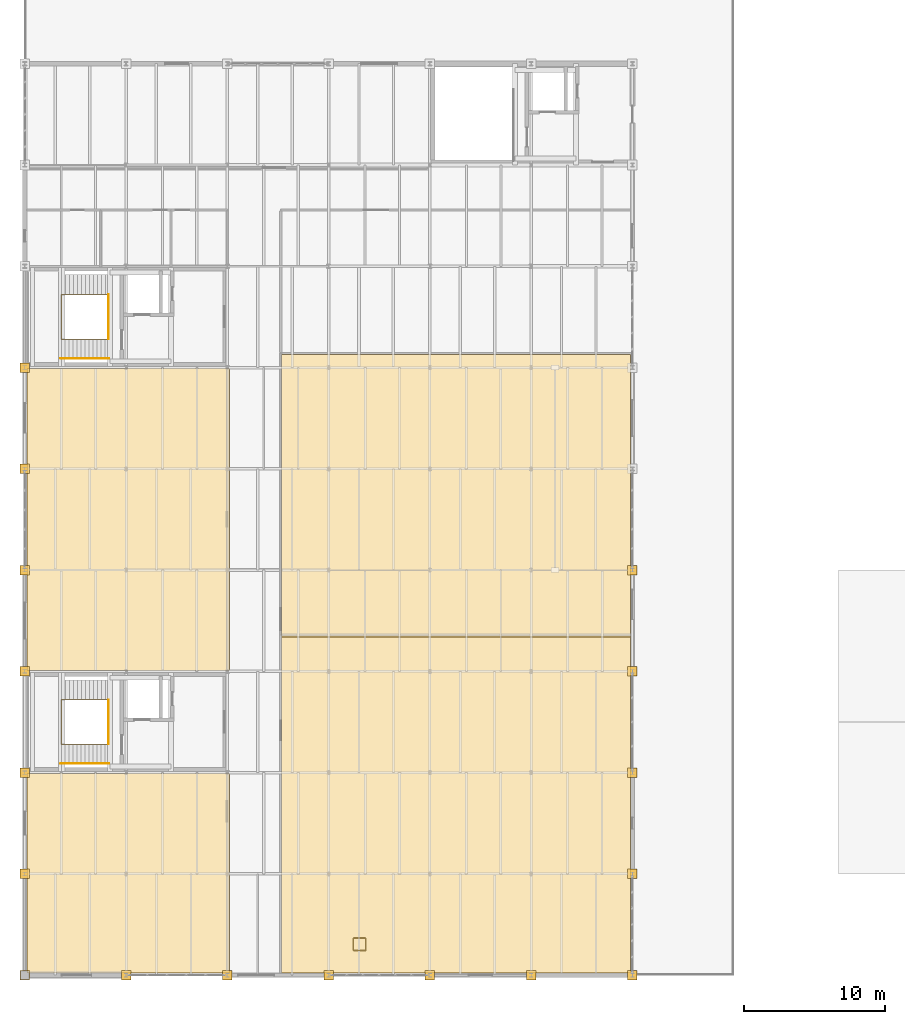
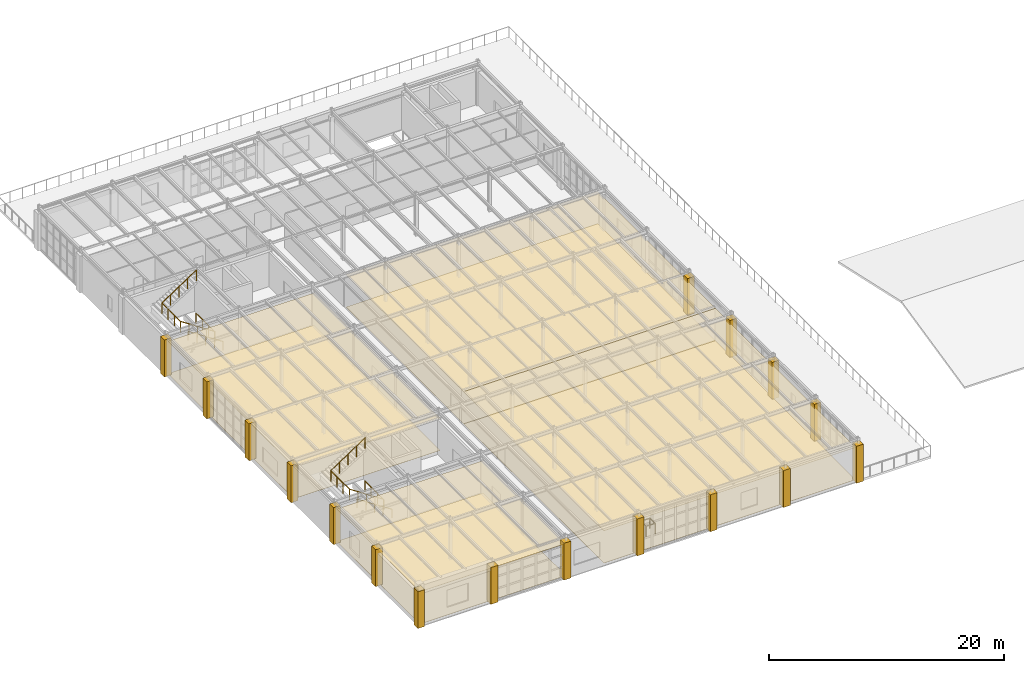
# One storey, part 35 of 36: 25 coverings, 7 railings.
"""IFC4 building model written with IfcOpenShell, lengths in metres."""

from ifc_helpers import new_model, si_unit, direction, frame, origin, origin_2d, place, context, subcontext, project, spatial, polyline, circle, outline, extrude, material, layer, layer_set, type_object, element, save


model = new_model("IFC4")

# Units and contexts
model_context = context("Model", 3, precision=1e-05, world=origin(), true_north=direction((0.0, 1.0)))
body_context = subcontext(model_context, "Body", "Model", "MODEL_VIEW")
ifc_project = project(units=[si_unit("LENGTHUNIT", "METRE"), si_unit("AREAUNIT", "SQUARE_METRE"), si_unit("VOLUMEUNIT", "CUBIC_METRE"), si_unit("PLANEANGLEUNIT", "RADIAN"), si_unit("MASSUNIT", "GRAM", prefix="KILO")], contexts=[model_context])

# Site, building, storey
site_placement = place(None, origin())
site = spatial("IfcSite", under=ifc_project, at=site_placement, CompositionType="ELEMENT")
building_placement = place(site_placement, origin())
building = spatial("IfcBuilding", under=site, at=building_placement, Name="Kemerveld Promenade Tramway Depot", CompositionType="ELEMENT")
storey_placement = place(building_placement, frame((0.0, 0.0, 14.39990234375)))
storey = spatial("IfcBuildingStorey", under=building, at=storey_placement, Name="L03", CompositionType="ELEMENT", Elevation=14.39990234375)

# Coverings
ifc_material_1 = material(Name="Perforated mineral-fibre acoustic ceiling")
ifc_layer_1 = layer(ifc_material_1, 0.02490234375)
ifc_layer_set_1 = layer_set([ifc_layer_1], Name="COV-CEIL-AC")
covering_type_1 = type_object("IfcCoveringType", Name="COV-CEIL-AC", PredefinedType="CEILING", material=ifc_layer_set_1)
covering_1_placement = place(storey_placement, frame((0.0, 0.0, 3.35498046875)))
element("IfcCovering", 1, at=covering_1_placement, inside=storey, type_object=covering_type_1, Name="CEIL-RM-L03-V5-RSE", PredefinedType="CEILING", context=body_context, shape_type="SweptSolid", body=[
    extrude(outline(polyline([(18.264892578125, 0.14990234375), (43.050048828125, 0.14990234375), (43.050048828125, 24.35009765625), (18.264892578125, 24.35009765625), (18.264892578125, 0.14990234375)])), origin(), (0.0, 0.0, 1.0), 0.025146484375),
])
covering_2_placement = place(storey_placement, frame((0.0, 0.0, 3.35498046875)))
element("IfcCovering", 2, at=covering_2_placement, inside=storey, type_object=covering_type_1, Name="CEIL-RM-L03-V5-TRK", PredefinedType="CEILING", context=body_context, shape_type="SweptSolid", body=[
    extrude(outline(polyline([(0.14990234375, 0.14990234375), (14.550048828125, 0.14990234375), (14.550048828125, 14.35009765625), (0.14990234375, 14.35009765625), (0.14990234375, 0.14990234375)])), origin(), (0.0, 0.0, 1.0), 0.025146484375),
])
covering_3_placement = place(storey_placement, frame((0.0, 0.0, 3.35498046875)))
element("IfcCovering", 3, at=covering_3_placement, inside=storey, type_object=covering_type_1, Name="CEIL-RM-L03-V5-SEM1", PredefinedType="CEILING", context=body_context, shape_type="SweptSolid", body=[
    extrude(outline(polyline([(0.14990234375, 21.64990234375), (14.550048828125, 21.64990234375), (14.550048828125, 43.14990234375), (0.14990234375, 43.14990234375), (0.14990234375, 21.64990234375)])), origin(), (0.0, 0.0, 1.0), 0.025146484375),
])
covering_4_placement = place(storey_placement, frame((0.0, 0.0, 3.35498046875)))
element("IfcCovering", 4, at=covering_4_placement, inside=storey, type_object=covering_type_1, Name="CEIL-RM-L03-V5-WPE", PredefinedType="CEILING", context=body_context, shape_type="SweptSolid", body=[
    extrude(outline(polyline([(18.264892578125, 24.050048828125), (43.050048828125, 24.050048828125), (43.050048828125, 44.1201171875), (18.264892578125, 44.1201171875), (18.264892578125, 24.050048828125)])), origin(), (0.0, 0.0, 1.0), 0.025146484375),
])
ifc_material_2 = material(Name="Dressed Harare granite ashlar cladding", Category="masonry")
ifc_layer_2 = layer(ifc_material_2, 0.050048828125)
ifc_layer_set_2 = layer_set([ifc_layer_2], Name="COV-CLAD-GRAN")
covering_type_2 = type_object("IfcCoveringType", Name="COV-CLAD-GRAN", PredefinedType="CLADDING", material=ifc_layer_set_2)
covering_5_placement = place(storey_placement, origin())
element("IfcCovering", 5, at=covering_5_placement, inside=storey, type_object=covering_type_2, Name="CLAD-PIER-L03-353", PredefinedType="CLADDING", context=body_context, shape_type="SweptSolid", body=[
    extrude(outline(polyline([(-0.340087890625, -0.340087890625), (0.340087890625, -0.340087890625), (0.340087890625, 0.340087890625), (-0.340087890625, 0.340087890625), (-0.340087890625, -0.340087890625)])), origin(), (0.0, 0.0, 1.0), 3.85009765625),
])
covering_6_placement = place(storey_placement, origin())
element("IfcCovering", 6, at=covering_6_placement, inside=storey, type_object=covering_type_2, Name="CLAD-PIER-L03-354", PredefinedType="CLADDING", context=body_context, shape_type="SweptSolid", body=[
    extrude(outline(polyline([(-0.340087890625, 6.860107421875), (0.340087890625, 6.860107421875), (0.340087890625, 7.5400390625), (-0.340087890625, 7.5400390625), (-0.340087890625, 6.860107421875)])), origin(), (0.0, 0.0, 1.0), 3.85009765625),
])
covering_7_placement = place(storey_placement, origin())
element("IfcCovering", 7, at=covering_7_placement, inside=storey, type_object=covering_type_2, Name="CLAD-PIER-L03-355", PredefinedType="CLADDING", context=body_context, shape_type="SweptSolid", body=[
    extrude(outline(polyline([(-0.340087890625, 14.06005859375), (0.340087890625, 14.06005859375), (0.340087890625, 14.739990234375), (-0.340087890625, 14.739990234375), (-0.340087890625, 14.06005859375)])), origin(), (0.0, 0.0, 1.0), 3.85009765625),
])
covering_8_placement = place(storey_placement, origin())
element("IfcCovering", 8, at=covering_8_placement, inside=storey, type_object=covering_type_2, Name="CLAD-PIER-L03-356", PredefinedType="CLADDING", context=body_context, shape_type="SweptSolid", body=[
    extrude(outline(polyline([(-0.340087890625, 21.260009765625), (0.340087890625, 21.260009765625), (0.340087890625, 21.93994140625), (-0.340087890625, 21.93994140625), (-0.340087890625, 21.260009765625)])), origin(), (0.0, 0.0, 1.0), 3.85009765625),
])
covering_9_placement = place(storey_placement, origin())
element("IfcCovering", 9, at=covering_9_placement, inside=storey, type_object=covering_type_2, Name="CLAD-PIER-L03-357", PredefinedType="CLADDING", context=body_context, shape_type="SweptSolid", body=[
    extrude(outline(polyline([(-0.340087890625, 28.4599609375), (0.340087890625, 28.4599609375), (0.340087890625, 29.139892578125), (-0.340087890625, 29.139892578125), (-0.340087890625, 28.4599609375)])), origin(), (0.0, 0.0, 1.0), 3.85009765625),
])
covering_10_placement = place(storey_placement, origin())
element("IfcCovering", 10, at=covering_10_placement, inside=storey, type_object=covering_type_2, Name="CLAD-PIER-L03-358", PredefinedType="CLADDING", context=body_context, shape_type="SweptSolid", body=[
    extrude(outline(polyline([(-0.340087890625, 35.659912109375), (0.340087890625, 35.659912109375), (0.340087890625, 36.340087890625), (-0.340087890625, 36.340087890625), (-0.340087890625, 35.659912109375)])), origin(), (0.0, 0.0, 1.0), 3.85009765625),
])
covering_11_placement = place(storey_placement, origin())
element("IfcCovering", 11, at=covering_11_placement, inside=storey, type_object=covering_type_2, Name="CLAD-PIER-L03-359", PredefinedType="CLADDING", context=body_context, shape_type="SweptSolid", body=[
    extrude(outline(polyline([(-0.340087890625, 42.860107421875), (0.340087890625, 42.860107421875), (0.340087890625, 43.5400390625), (-0.340087890625, 43.5400390625), (-0.340087890625, 42.860107421875)])), origin(), (0.0, 0.0, 1.0), 3.85009765625),
])
covering_12_placement = place(storey_placement, origin())
element("IfcCovering", 12, at=covering_12_placement, inside=storey, type_object=covering_type_2, Name="CLAD-PIER-L03-373", PredefinedType="CLADDING", context=body_context, shape_type="SweptSolid", body=[
    extrude(outline(polyline([(42.860107421875, 28.4599609375), (43.5400390625, 28.4599609375), (43.5400390625, 29.139892578125), (42.860107421875, 29.139892578125), (42.860107421875, 28.4599609375)])), origin(), (0.0, 0.0, 1.0), 3.85009765625),
])
covering_13_placement = place(storey_placement, origin())
element("IfcCovering", 13, at=covering_13_placement, inside=storey, type_object=covering_type_2, Name="CLAD-PIER-L03-374", PredefinedType="CLADDING", context=body_context, shape_type="SweptSolid", body=[
    extrude(outline(polyline([(42.860107421875, 21.260009765625), (43.5400390625, 21.260009765625), (43.5400390625, 21.93994140625), (42.860107421875, 21.93994140625), (42.860107421875, 21.260009765625)])), origin(), (0.0, 0.0, 1.0), 3.85009765625),
])
covering_14_placement = place(storey_placement, origin())
element("IfcCovering", 14, at=covering_14_placement, inside=storey, type_object=covering_type_2, Name="CLAD-PIER-L03-375", PredefinedType="CLADDING", context=body_context, shape_type="SweptSolid", body=[
    extrude(outline(polyline([(42.860107421875, 14.06005859375), (43.5400390625, 14.06005859375), (43.5400390625, 14.739990234375), (42.860107421875, 14.739990234375), (42.860107421875, 14.06005859375)])), origin(), (0.0, 0.0, 1.0), 3.85009765625),
])
covering_15_placement = place(storey_placement, origin())
element("IfcCovering", 15, at=covering_15_placement, inside=storey, type_object=covering_type_2, Name="CLAD-PIER-L03-376", PredefinedType="CLADDING", context=body_context, shape_type="SweptSolid", body=[
    extrude(outline(polyline([(42.860107421875, 6.860107421875), (43.5400390625, 6.860107421875), (43.5400390625, 7.5400390625), (42.860107421875, 7.5400390625), (42.860107421875, 6.860107421875)])), origin(), (0.0, 0.0, 1.0), 3.85009765625),
])
covering_16_placement = place(storey_placement, origin())
element("IfcCovering", 16, at=covering_16_placement, inside=storey, type_object=covering_type_2, Name="CLAD-PIER-L03-377", PredefinedType="CLADDING", context=body_context, shape_type="SweptSolid", body=[
    extrude(outline(polyline([(42.860107421875, -0.340087890625), (43.5400390625, -0.340087890625), (43.5400390625, 0.340087890625), (42.860107421875, 0.340087890625), (42.860107421875, -0.340087890625)])), origin(), (0.0, 0.0, 1.0), 3.85009765625),
])
covering_17_placement = place(storey_placement, origin())
element("IfcCovering", 17, at=covering_17_placement, inside=storey, type_object=covering_type_2, Name="CLAD-PIER-L03-378", PredefinedType="CLADDING", context=body_context, shape_type="SweptSolid", body=[
    extrude(outline(polyline([(35.659912109375, -0.340087890625), (36.340087890625, -0.340087890625), (36.340087890625, 0.340087890625), (35.659912109375, 0.340087890625), (35.659912109375, -0.340087890625)])), origin(), (0.0, 0.0, 1.0), 3.85009765625),
])
covering_18_placement = place(storey_placement, origin())
element("IfcCovering", 18, at=covering_18_placement, inside=storey, type_object=covering_type_2, Name="CLAD-PIER-L03-379", PredefinedType="CLADDING", context=body_context, shape_type="SweptSolid", body=[
    extrude(outline(polyline([(28.4599609375, -0.340087890625), (29.139892578125, -0.340087890625), (29.139892578125, 0.340087890625), (28.4599609375, 0.340087890625), (28.4599609375, -0.340087890625)])), origin(), (0.0, 0.0, 1.0), 3.85009765625),
])
covering_19_placement = place(storey_placement, origin())
element("IfcCovering", 19, at=covering_19_placement, inside=storey, type_object=covering_type_2, Name="CLAD-PIER-L03-380", PredefinedType="CLADDING", context=body_context, shape_type="SweptSolid", body=[
    extrude(outline(polyline([(21.260009765625, -0.340087890625), (21.93994140625, -0.340087890625), (21.93994140625, 0.340087890625), (21.260009765625, 0.340087890625), (21.260009765625, -0.340087890625)])), origin(), (0.0, 0.0, 1.0), 3.85009765625),
])
covering_20_placement = place(storey_placement, origin())
element("IfcCovering", 20, at=covering_20_placement, inside=storey, type_object=covering_type_2, Name="CLAD-PIER-L03-381", PredefinedType="CLADDING", context=body_context, shape_type="SweptSolid", body=[
    extrude(outline(polyline([(14.06005859375, -0.340087890625), (14.739990234375, -0.340087890625), (14.739990234375, 0.340087890625), (14.06005859375, 0.340087890625), (14.06005859375, -0.340087890625)])), origin(), (0.0, 0.0, 1.0), 3.85009765625),
])
covering_21_placement = place(storey_placement, origin())
element("IfcCovering", 21, at=covering_21_placement, inside=storey, type_object=covering_type_2, Name="CLAD-PIER-L03-382", PredefinedType="CLADDING", context=body_context, shape_type="SweptSolid", body=[
    extrude(outline(polyline([(6.860107421875, -0.340087890625), (7.5400390625, -0.340087890625), (7.5400390625, 0.340087890625), (6.860107421875, 0.340087890625), (6.860107421875, -0.340087890625)])), origin(), (0.0, 0.0, 1.0), 3.85009765625),
])
ifc_material_3 = material(Name="Honed Harare granite terrazzo flooring", Category="masonry")
ifc_layer_3 = layer(ifc_material_3, 0.02001953125)
ifc_layer_set_3 = layer_set([ifc_layer_3], Name="COV-FLR-TERR")
covering_type_3 = type_object("IfcCoveringType", Name="COV-FLR-TERR", PredefinedType="FLOORING", material=ifc_layer_set_3)
covering_22_placement = place(storey_placement, origin())
element("IfcCovering", 22, at=covering_22_placement, inside=storey, type_object=covering_type_3, Name="FLR-RM-L03-V5-RSE", PredefinedType="FLOORING", context=body_context, shape_type="SweptSolid", body=[
    extrude(outline(polyline([(18.264892578125, 0.14990234375), (43.050048828125, 0.14990234375), (43.050048828125, 24.35009765625), (18.264892578125, 24.35009765625), (18.264892578125, 0.14990234375)])), origin(), (0.0, 0.0, 1.0), 0.02001953125),
])
covering_23_placement = place(storey_placement, origin())
element("IfcCovering", 23, at=covering_23_placement, inside=storey, type_object=covering_type_3, Name="FLR-RM-L03-V5-TRK", PredefinedType="FLOORING", context=body_context, shape_type="SweptSolid", body=[
    extrude(outline(polyline([(0.14990234375, 0.14990234375), (14.550048828125, 0.14990234375), (14.550048828125, 14.35009765625), (0.14990234375, 14.35009765625), (0.14990234375, 0.14990234375)])), origin(), (0.0, 0.0, 1.0), 0.02001953125),
])
covering_24_placement = place(storey_placement, origin())
element("IfcCovering", 24, at=covering_24_placement, inside=storey, type_object=covering_type_3, Name="FLR-RM-L03-V5-SEM1", PredefinedType="FLOORING", context=body_context, shape_type="SweptSolid", body=[
    extrude(outline(polyline([(0.14990234375, 21.64990234375), (14.550048828125, 21.64990234375), (14.550048828125, 43.14990234375), (0.14990234375, 43.14990234375), (0.14990234375, 21.64990234375)])), origin(), (0.0, 0.0, 1.0), 0.02001953125),
])
covering_25_placement = place(storey_placement, origin())
element("IfcCovering", 25, at=covering_25_placement, inside=storey, type_object=covering_type_3, Name="FLR-RM-L03-V5-WPE", PredefinedType="FLOORING", context=body_context, shape_type="SweptSolid", body=[
    extrude(outline(polyline([(18.264892578125, 24.050048828125), (43.050048828125, 24.050048828125), (43.050048828125, 44.1201171875), (18.264892578125, 44.1201171875), (18.264892578125, 24.050048828125)])), origin(), (0.0, 0.0, 1.0), 0.02001953125),
])

# Railings
ifc_material_4 = material(Name="Galvanised painted steel balustrade", Category="steel")
railing_type_1 = type_object("IfcRailingType", Name="RL-GRD-1100", PredefinedType="GUARDRAIL", material=ifc_material_4)
railing_1_placement = place(storey_placement, frame((5.97998046875, 16.4150390625, 0.0)))
element("IfcRailing", 26, at=railing_1_placement, inside=storey, type_object=railing_type_1, Name="RL-GRD-ST-01-L03", PredefinedType="GUARDRAIL", context=body_context, shape_type="SweptSolid", body=[
    extrude(circle(Radius=0.02392578125, at=origin_2d()), frame((0.0, 0.0, 1.09619140625), z_axis=(-0.833174834292, 0.0, 0.553009670352), x_axis=(0.0, -1.0, 0.0)), (0.0, 0.0, 1.0), 4.068603515625),
    extrude(circle(Radius=0.02392578125, at=origin_2d()), frame((-3.389892578125, 0.0, 3.34619140625), z_axis=(0.0, 1.0, 0.0), x_axis=(-1.0, 0.0, 0.0)), (0.0, 0.0, 1.0), 3.169921875),
    extrude(circle(Radius=0.02392578125, at=origin_2d()), frame((-3.389892578125, 3.169921875, 3.34619140625), z_axis=(0.833174834292, 0.0, 0.553009670352), x_axis=(0.0, 1.0, 0.0)), (0.0, 0.0, 1.0), 4.068603515625),
    extrude(circle(Radius=0.02099609375, at=origin_2d()), origin(), (0.0, 0.0, 1.0), 1.072021484375),
    extrude(circle(Radius=0.02099609375, at=origin_2d()), frame((-0.847412109375, 0.0, 0.5625)), (0.0, 0.0, 1.0), 1.072021484375),
    extrude(circle(Radius=0.02099609375, at=origin_2d()), frame((-1.69482421875, 0.0, 1.125)), (0.0, 0.0, 1.0), 1.072021484375),
    extrude(circle(Radius=0.02099609375, at=origin_2d()), frame((-2.54248046875, 0.0, 1.6875)), (0.0, 0.0, 1.0), 1.072021484375),
    extrude(circle(Radius=0.02099609375, at=origin_2d()), frame((-3.389892578125, 0.0, 2.25)), (0.0, 0.0, 1.0), 1.072021484375),
    extrude(circle(Radius=0.02099609375, at=origin_2d()), frame((-3.389892578125, 1.056640625, 2.25)), (0.0, 0.0, 1.0), 1.072021484375),
    extrude(circle(Radius=0.02099609375, at=origin_2d()), frame((-3.389892578125, 2.11328125, 2.25)), (0.0, 0.0, 1.0), 1.072021484375),
    extrude(circle(Radius=0.02099609375, at=origin_2d()), frame((-3.389892578125, 3.169921875, 2.25)), (0.0, 0.0, 1.0), 1.072021484375),
    extrude(circle(Radius=0.02099609375, at=origin_2d()), frame((-2.54248046875, 3.169921875, 2.8125)), (0.0, 0.0, 1.0), 1.072021484375),
    extrude(circle(Radius=0.02099609375, at=origin_2d()), frame((-1.69482421875, 3.169921875, 3.375)), (0.0, 0.0, 1.0), 1.072021484375),
    extrude(circle(Radius=0.02099609375, at=origin_2d()), frame((-0.847412109375, 3.169921875, 3.9375)), (0.0, 0.0, 1.0), 1.072021484375),
    extrude(circle(Radius=0.02099609375, at=origin_2d()), frame((0.0, 3.169921875, 4.5)), (0.0, 0.0, 1.0), 1.072021484375),
])
railing_2_placement = place(storey_placement, frame((5.949951171875, 16.425048828125, 0.0)))
element("IfcRailing", 27, at=railing_2_placement, inside=storey, type_object=railing_type_1, Name="RL-SLOT-C1-L03", PredefinedType="GUARDRAIL", context=body_context, shape_type="SweptSolid", body=[
    extrude(circle(Radius=0.02392578125, at=origin_2d()), frame((0.0, 0.0, 1.09619140625), z_axis=(0.0, 1.0, 0.0), x_axis=(-1.0, 0.0, 0.0)), (0.0, 0.0, 1.0), 3.14990234375),
    extrude(circle(Radius=0.02099609375, at=origin_2d()), origin(), (0.0, 0.0, 1.0), 1.072021484375),
    extrude(circle(Radius=0.02099609375, at=origin_2d()), frame((0.0, 1.050048828125, 0.0)), (0.0, 0.0, 1.0), 1.072021484375),
    extrude(circle(Radius=0.02099609375, at=origin_2d()), frame((0.0, 2.099853515625, 0.0)), (0.0, 0.0, 1.0), 1.072021484375),
    extrude(circle(Radius=0.02099609375, at=origin_2d()), frame((0.0, 3.14990234375, 0.0)), (0.0, 0.0, 1.0), 1.072021484375),
])
railing_3_placement = place(storey_placement, frame((5.97998046875, 45.215087890625, 0.0)))
element("IfcRailing", 28, at=railing_3_placement, inside=storey, type_object=railing_type_1, Name="RL-GRD-ST-02-L03", PredefinedType="GUARDRAIL", context=body_context, shape_type="SweptSolid", body=[
    extrude(circle(Radius=0.02392578125, at=origin_2d()), frame((0.0, 0.0, 1.09619140625), z_axis=(-0.833174834292, 0.0, 0.553009670352), x_axis=(0.0, -1.0, 0.0)), (0.0, 0.0, 1.0), 4.068603515625),
    extrude(circle(Radius=0.02392578125, at=origin_2d()), frame((-3.389892578125, 0.0, 3.34619140625), z_axis=(0.0, 1.0, 0.0), x_axis=(-1.0, 0.0, 0.0)), (0.0, 0.0, 1.0), 3.169921875),
    extrude(circle(Radius=0.02392578125, at=origin_2d()), frame((-3.389892578125, 3.169921875, 3.34619140625), z_axis=(0.833174834292, 0.0, 0.553009670352), x_axis=(0.0, 1.0, 0.0)), (0.0, 0.0, 1.0), 4.068603515625),
    extrude(circle(Radius=0.02099609375, at=origin_2d()), origin(), (0.0, 0.0, 1.0), 1.072021484375),
    extrude(circle(Radius=0.02099609375, at=origin_2d()), frame((-0.847412109375, 0.0, 0.5625)), (0.0, 0.0, 1.0), 1.072021484375),
    extrude(circle(Radius=0.02099609375, at=origin_2d()), frame((-1.69482421875, 0.0, 1.125)), (0.0, 0.0, 1.0), 1.072021484375),
    extrude(circle(Radius=0.02099609375, at=origin_2d()), frame((-2.54248046875, 0.0, 1.6875)), (0.0, 0.0, 1.0), 1.072021484375),
    extrude(circle(Radius=0.02099609375, at=origin_2d()), frame((-3.389892578125, 0.0, 2.25)), (0.0, 0.0, 1.0), 1.072021484375),
    extrude(circle(Radius=0.02099609375, at=origin_2d()), frame((-3.389892578125, 1.056640625, 2.25)), (0.0, 0.0, 1.0), 1.072021484375),
    extrude(circle(Radius=0.02099609375, at=origin_2d()), frame((-3.389892578125, 2.11328125, 2.25)), (0.0, 0.0, 1.0), 1.072021484375),
    extrude(circle(Radius=0.02099609375, at=origin_2d()), frame((-3.389892578125, 3.169921875, 2.25)), (0.0, 0.0, 1.0), 1.072021484375),
    extrude(circle(Radius=0.02099609375, at=origin_2d()), frame((-2.54248046875, 3.169921875, 2.8125)), (0.0, 0.0, 1.0), 1.072021484375),
    extrude(circle(Radius=0.02099609375, at=origin_2d()), frame((-1.69482421875, 3.169921875, 3.375)), (0.0, 0.0, 1.0), 1.072021484375),
    extrude(circle(Radius=0.02099609375, at=origin_2d()), frame((-0.847412109375, 3.169921875, 3.9375)), (0.0, 0.0, 1.0), 1.072021484375),
    extrude(circle(Radius=0.02099609375, at=origin_2d()), frame((0.0, 3.169921875, 4.5)), (0.0, 0.0, 1.0), 1.072021484375),
])
railing_4_placement = place(storey_placement, frame((5.949951171875, 45.22509765625, 0.0)))
element("IfcRailing", 29, at=railing_4_placement, inside=storey, type_object=railing_type_1, Name="RL-SLOT-C2-L03", PredefinedType="GUARDRAIL", context=body_context, shape_type="SweptSolid", body=[
    extrude(circle(Radius=0.02392578125, at=origin_2d()), frame((0.0, 0.0, 1.09619140625), z_axis=(0.0, 1.0, 0.0), x_axis=(-1.0, 0.0, 0.0)), (0.0, 0.0, 1.0), 3.14990234375),
    extrude(circle(Radius=0.02099609375, at=origin_2d()), origin(), (0.0, 0.0, 1.0), 1.072021484375),
    extrude(circle(Radius=0.02099609375, at=origin_2d()), frame((0.0, 1.050048828125, 0.0)), (0.0, 0.0, 1.0), 1.072021484375),
    extrude(circle(Radius=0.02099609375, at=origin_2d()), frame((0.0, 2.099853515625, 0.0)), (0.0, 0.0, 1.0), 1.072021484375),
    extrude(circle(Radius=0.02099609375, at=origin_2d()), frame((0.0, 3.14990234375, 0.0)), (0.0, 0.0, 1.0), 1.072021484375),
])
railing_5_placement = place(storey_placement, frame((23.360107421875, 1.760009765625, 0.0)))
element("IfcRailing", 30, at=railing_5_placement, inside=storey, type_object=railing_type_1, Name="RL-DUCT-L03-09", PredefinedType="GUARDRAIL", context=body_context, shape_type="SweptSolid", body=[
    extrude(circle(Radius=0.02392578125, at=origin_2d()), frame((0.0, 0.0, 1.09619140625), z_axis=(1.0, 0.0, 0.0), x_axis=(0.0, 1.0, 0.0)), (0.0, 0.0, 1.0), 0.8798828125),
    extrude(circle(Radius=0.02392578125, at=origin_2d()), frame((0.8798828125, 0.0, 1.09619140625), z_axis=(0.0, 1.0, 0.0), x_axis=(-1.0, 0.0, 0.0)), (0.0, 0.0, 1.0), 0.8798828125),
    extrude(circle(Radius=0.02392578125, at=origin_2d()), frame((0.8798828125, 0.8798828125, 1.09619140625), z_axis=(-1.0, 0.0, 0.0), x_axis=(0.0, -1.0, 0.0)), (0.0, 0.0, 1.0), 0.8798828125),
    extrude(circle(Radius=0.02392578125, at=origin_2d()), frame((0.0, 0.8798828125, 1.09619140625), z_axis=(0.0, -1.0, 0.0), x_axis=(1.0, 0.0, 0.0)), (0.0, 0.0, 1.0), 0.81982421875),
    extrude(circle(Radius=0.02099609375, at=origin_2d()), origin(), (0.0, 0.0, 1.0), 1.072021484375),
    extrude(circle(Radius=0.02099609375, at=origin_2d()), frame((0.8798828125, 0.0, 0.0)), (0.0, 0.0, 1.0), 1.072021484375),
    extrude(circle(Radius=0.02099609375, at=origin_2d()), frame((0.8798828125, 0.8798828125, 0.0)), (0.0, 0.0, 1.0), 1.072021484375),
    extrude(circle(Radius=0.02099609375, at=origin_2d()), frame((0.0, 0.8798828125, 0.0)), (0.0, 0.0, 1.0), 1.072021484375),
    extrude(circle(Radius=0.02099609375, at=origin_2d()), frame((0.0, 0.06005859375, 0.0)), (0.0, 0.0, 1.0), 1.072021484375),
])
ifc_material_5 = material(Name="Brushed stainless steel tubular handrail", Category="steel")
railing_type_2 = type_object("IfcRailingType", Name="RL-HR-920", PredefinedType="HANDRAIL", material=ifc_material_5)
for number, where, name in (
    (31, (5.97998046875, 15.044921875, 0.0), "RL-HR-ST-01-L03"),
    (32, (5.97998046875, 43.844970703125, 0.0), "RL-HR-ST-02-L03"),
):
    element("IfcRailing", number, at=place(storey_placement, frame(where)), inside=storey, type_object=railing_type_2, Name=name, PredefinedType="HANDRAIL", context=body_context, shape_type="SweptSolid", body=[
        extrude(circle(Radius=0.02392578125, at=origin_2d()), frame((0.0, 0.0, 0.89599609375), z_axis=(-0.835411317272, 0.0, 0.549625264133), x_axis=(0.0, -1.0, 0.0)), (0.0, 0.0, 1.0), 4.09375),
        extrude(circle(Radius=0.02099609375, at=origin_2d()), origin(), (0.0, 0.0, 1.0), 0.871826171875),
        extrude(circle(Radius=0.02099609375, at=origin_2d()), frame((-0.85498046875, 0.0, 0.5625)), (0.0, 0.0, 1.0), 0.871826171875),
        extrude(circle(Radius=0.02099609375, at=origin_2d()), frame((-1.7099609375, 0.0, 1.125)), (0.0, 0.0, 1.0), 0.871826171875),
        extrude(circle(Radius=0.02099609375, at=origin_2d()), frame((-2.56494140625, 0.0, 1.6875)), (0.0, 0.0, 1.0), 0.871826171875),
        extrude(circle(Radius=0.02099609375, at=origin_2d()), frame((-3.419921875, 0.0, 2.25)), (0.0, 0.0, 1.0), 0.871826171875),
    ])

save(model, "model.ifc")
